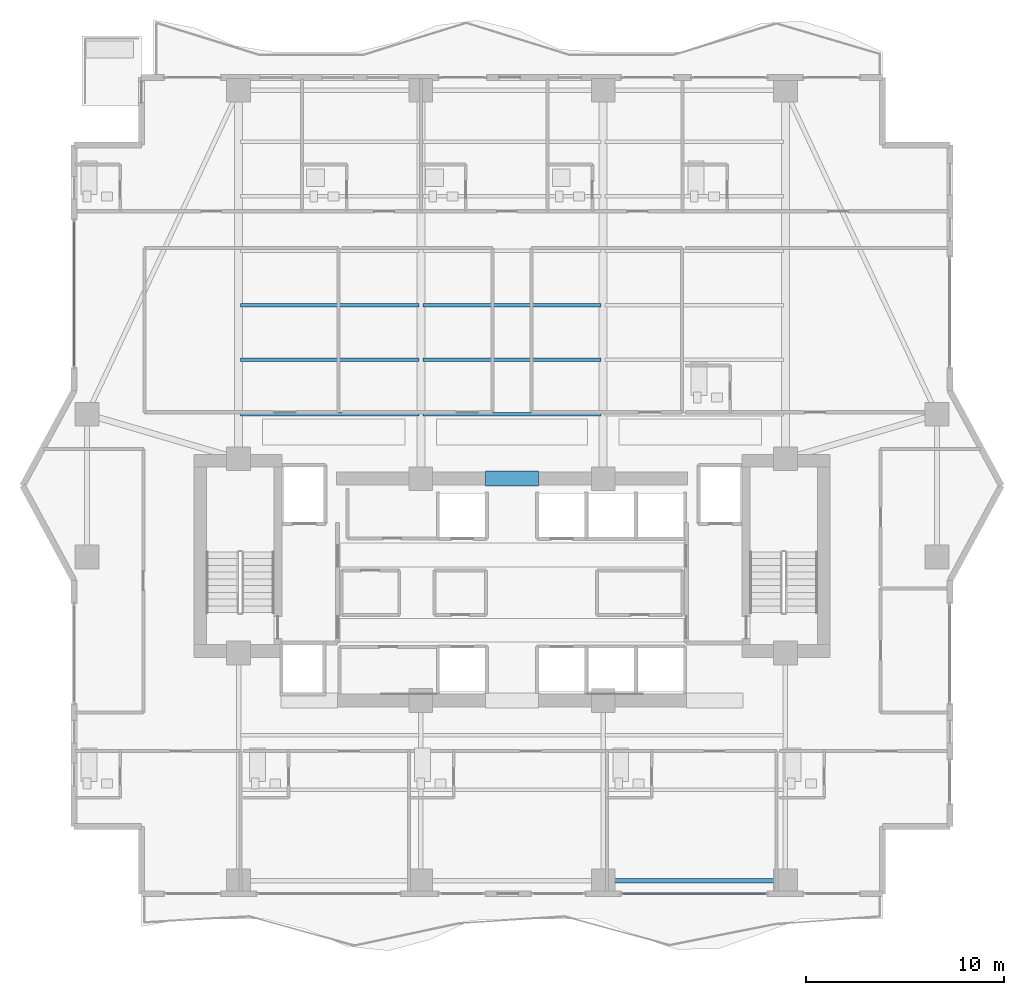
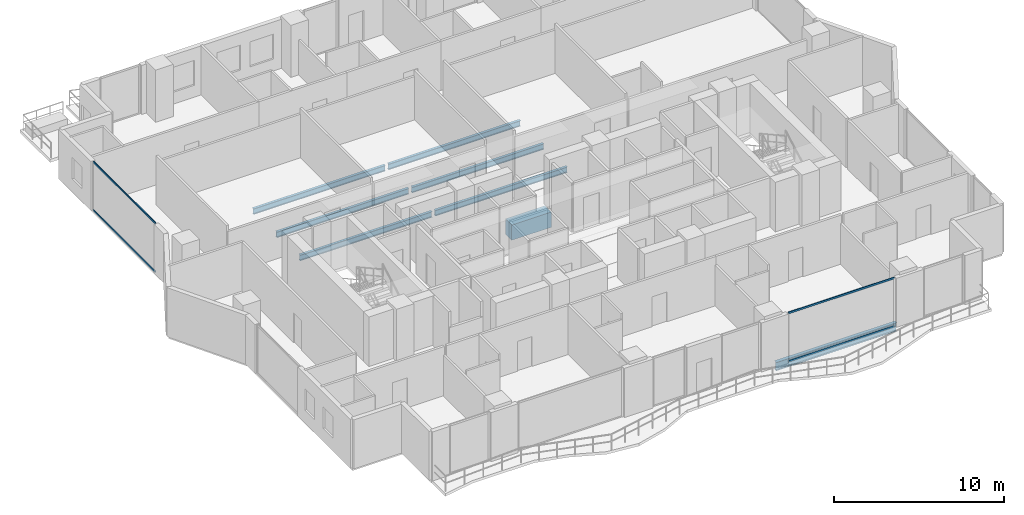
# One storey, part 8 of 32: 8 beams, 4 members, 2 elements without a shape of their own.
"""IFC4 building model written with IfcOpenShell, lengths in metres."""

from ifc_helpers import new_model, si_unit, direction, frame, origin, origin_2d, place, context, subcontext, project, spatial, rectangle, hollow_rectangle, i_section, extrude, material, layer, layer_set, material_profile, profile_set, type_object, element, aggregate, save


model = new_model("IFC4")

# Units and contexts
model_context = context("Model", 3, precision=1e-05, world=origin(), true_north=direction((0.0, 1.0)))
body_context = subcontext(model_context, "Body", "Model", "MODEL_VIEW")
ifc_project = project(units=[si_unit("LENGTHUNIT", "METRE"), si_unit("AREAUNIT", "SQUARE_METRE"), si_unit("VOLUMEUNIT", "CUBIC_METRE"), si_unit("PLANEANGLEUNIT", "RADIAN"), si_unit("MASSUNIT", "GRAM", prefix="KILO")], contexts=[model_context])

# Site, building, storey
site_placement = place(None, origin())
site = spatial("IfcSite", under=ifc_project, at=site_placement, CompositionType="ELEMENT")
building_placement = place(site_placement, origin())
building = spatial("IfcBuilding", under=site, at=building_placement, Name="Zuhayl Quay Hotel", CompositionType="ELEMENT")
storey_placement = place(building_placement, frame((0.0, 0.0, 181.14990234375)))
storey = spatial("IfcBuildingStorey", under=building, at=storey_placement, Name="L45", CompositionType="ELEMENT", Elevation=181.14990234375)

# Beams
ifc_material_1 = material(Name="Steel ASTM A992 Grade 50", Category="steel")
ifc_material_profile_1 = material_profile(ifc_material_1, i_section(OverallWidth=0.22802734375, OverallDepth=0.60693359375, WebThickness=0.01123046875, FlangeThickness=0.017333984375, at=origin_2d()), Name="W24X76")
ifc_profile_set_1 = profile_set([ifc_material_profile_1], Name="Steel ASTM A992 Grade 50")
beam_type_1 = type_object("IfcBeamType", Name="BM_B3_W24X76", PredefinedType="BEAM", material=ifc_profile_set_1)
beam_1_placement = place(storey_placement, frame((5.10009765625, -6.949951171875, -0.5234375), z_axis=(1.0, 0.0, 0.0), x_axis=(0.0, 1.0, 0.0)))
element("IfcBeam", 1, at=beam_1_placement, inside=storey, type_object=beam_type_1, Name="L45 Floor Beam RG_L45_03", PredefinedType="BEAM", context=body_context, shape_type="SweptSolid", body=[
    extrude(i_section(OverallWidth=0.22802734375, OverallDepth=0.60693359375, WebThickness=0.01123046875, FlangeThickness=0.017333984375, at=origin_2d()), origin(), (0.0, 0.0, 1.0), 8.199951171875),
])
ifc_material_2 = material(Name="Concrete C60/75", Category="concrete")
ifc_material_profile_2 = material_profile(ifc_material_2, rectangle(XDim=0.75, YDim=1.10009765625, at=origin_2d()), Name="RC750X1100")
ifc_profile_set_2 = profile_set([ifc_material_profile_2], Name="Concrete C60/75")
beam_type_2 = type_object("IfcBeamType", Name="BM_CB2_RC750", PredefinedType="T_BEAM", material=ifc_profile_set_2)
beam_2_placement = place(storey_placement, frame((-1.35009765625, 13.35009765625, -0.77001953125), z_axis=(1.0, 0.0, 0.0), x_axis=(0.0, 1.0, 0.0)))
element("IfcBeam", 2, at=beam_2_placement, inside=storey, type_object=beam_type_2, Name="L45 Core Coupling Beam North", PredefinedType="T_BEAM", context=body_context, shape_type="SweptSolid", body=[
    extrude(rectangle(XDim=0.75, YDim=1.10009765625, at=origin_2d()), origin(), (0.0, 0.0, 1.0), 2.7001953125),
])
ifc_material_profile_3 = material_profile(ifc_material_1, i_section(OverallWidth=0.177978515625, OverallDepth=0.406005859375, WebThickness=0.0078125, FlangeThickness=0.0126953125, at=origin_2d()), Name="W16X40")
ifc_profile_set_3 = profile_set([ifc_material_profile_3], Name="Steel ASTM A992 Grade 50")
beam_type_3 = type_object("IfcBeamType", Name="BM_J2B_W16X40", PredefinedType="JOIST", material=ifc_profile_set_3)
beam_3_placement = place(storey_placement, frame((-13.694091796875, 16.60009765625, -0.4228515625), z_axis=(1.0, 0.0, 0.0), x_axis=(0.0, 1.0, 0.0)))
element("IfcBeam", 3, at=beam_3_placement, inside=storey, type_object=beam_type_3, Name="L45 Floor Beam FJ_L45_1_1", PredefinedType="JOIST", context=body_context, shape_type="SweptSolid", body=[
    extrude(i_section(OverallWidth=0.177978515625, OverallDepth=0.406005859375, WebThickness=0.0078125, FlangeThickness=0.0126953125, at=origin_2d()), origin(), (0.0, 0.0, 1.0), 8.988037109375),
])
beam_4_placement = place(storey_placement, frame((-4.493896484375, 16.60009765625, -0.4228515625), z_axis=(1.0, 0.0, 0.0), x_axis=(0.0, 1.0, 0.0)))
element("IfcBeam", 4, at=beam_4_placement, inside=storey, type_object=beam_type_3, Name="L45 Floor Beam FJ_L45_1_2", PredefinedType="JOIST", context=body_context, shape_type="SweptSolid", body=[
    extrude(i_section(OverallWidth=0.177978515625, OverallDepth=0.406005859375, WebThickness=0.0078125, FlangeThickness=0.0126953125, at=origin_2d()), origin(), (0.0, 0.0, 1.0), 8.98779296875),
])
beam_5_placement = place(storey_placement, frame((-13.694091796875, 19.35009765625, -0.4228515625), z_axis=(1.0, 0.0, 0.0), x_axis=(0.0, 1.0, 0.0)))
element("IfcBeam", 5, at=beam_5_placement, inside=storey, type_object=beam_type_3, Name="L45 Floor Beam FJ_L45_2_1", PredefinedType="JOIST", context=body_context, shape_type="SweptSolid", body=[
    extrude(i_section(OverallWidth=0.177978515625, OverallDepth=0.406005859375, WebThickness=0.0078125, FlangeThickness=0.0126953125, at=origin_2d()), origin(), (0.0, 0.0, 1.0), 8.988037109375),
])
beam_6_placement = place(storey_placement, frame((-4.493896484375, 19.35009765625, -0.4228515625), z_axis=(1.0, 0.0, 0.0), x_axis=(0.0, 1.0, 0.0)))
element("IfcBeam", 6, at=beam_6_placement, inside=storey, type_object=beam_type_3, Name="L45 Floor Beam FJ_L45_2_2", PredefinedType="JOIST", context=body_context, shape_type="SweptSolid", body=[
    extrude(i_section(OverallWidth=0.177978515625, OverallDepth=0.406005859375, WebThickness=0.0078125, FlangeThickness=0.0126953125, at=origin_2d()), origin(), (0.0, 0.0, 1.0), 8.98779296875),
])
beam_7_placement = place(storey_placement, frame((-13.694091796875, 22.10009765625, -0.4228515625), z_axis=(1.0, 0.0, 0.0), x_axis=(0.0, 1.0, 0.0)))
element("IfcBeam", 7, at=beam_7_placement, inside=storey, type_object=beam_type_3, Name="L45 Floor Beam FJ_L45_3_1", PredefinedType="JOIST", context=body_context, shape_type="SweptSolid", body=[
    extrude(i_section(OverallWidth=0.177978515625, OverallDepth=0.406005859375, WebThickness=0.0078125, FlangeThickness=0.0126953125, at=origin_2d()), origin(), (0.0, 0.0, 1.0), 8.988037109375),
])
beam_8_placement = place(storey_placement, frame((-4.493896484375, 22.10009765625, -0.4228515625), z_axis=(1.0, 0.0, 0.0), x_axis=(0.0, 1.0, 0.0)))
element("IfcBeam", 8, at=beam_8_placement, inside=storey, type_object=beam_type_3, Name="L45 Floor Beam FJ_L45_3_2", PredefinedType="JOIST", context=body_context, shape_type="SweptSolid", body=[
    extrude(i_section(OverallWidth=0.177978515625, OverallDepth=0.406005859375, WebThickness=0.0078125, FlangeThickness=0.0126953125, at=origin_2d()), origin(), (0.0, 0.0, 1.0), 8.98779296875),
])

# Curtain wall, members
ifc_material_3 = material(Name="Anodised Aluminium 6063-T6", Category="aluminium")
ifc_layer = layer(ifc_material_3, 0.175048828125, Name="Anodised Aluminium 6063-T6", Category="aluminium")
ifc_layer_set = layer_set([ifc_layer], Name="Anodised Aluminium 6063-T6")
curtain_wall_type = type_object("IfcCurtainWallType", Name="CW_SYS_Z3", PredefinedType="USERDEFINED", material=ifc_layer_set)
curtain_wall_1_placement = place(storey_placement, origin())
curtain_wall_1 = element("IfcCurtainWall", 9, at=curtain_wall_1_placement, inside=storey, type_object=curtain_wall_type, Name="L45 Curtain Wall ENV_L45_E05_CW1", ObjectType="UNITISED CURTAIN WALL", PredefinedType="USERDEFINED")
ifc_material_4 = material(Name="Black-anodised aluminium 6063-T6", Category="aluminium")
ifc_material_profile_4 = material_profile(ifc_material_4, hollow_rectangle(XDim=0.054931640625, YDim=0.1298828125, WallThickness=0.0029296875, at=origin_2d()), Name="ALU130X55")
ifc_profile_set_4 = profile_set([ifc_material_profile_4], Name="Black-anodised aluminium 6063-T6")
member_type = type_object("IfcMemberType", Name="MB_CW_TRN_130", PredefinedType="USERDEFINED", material=ifc_profile_set_4)
member_1_placement = place(storey_placement, frame((-22.10009765625, 19.014892578125, 0.027587890625), z_axis=(0.0, 1.0, 0.0), x_axis=(-1.0, 0.0, 0.0)))
member_1 = element("IfcMember", 10, at=member_1_placement, type_object=member_type, Name="CW-Z3 transom 1.1", ObjectType="TRANSOM", PredefinedType="USERDEFINED", context=body_context, shape_type="SweptSolid", body=[
    extrude(hollow_rectangle(XDim=0.054931640625, YDim=0.1298828125, WallThickness=0.0029296875, at=origin_2d()), origin(), (0.0, 0.0, 1.0), 7.320068359375),
])
member_2_placement = place(storey_placement, frame((-22.10009765625, 19.014892578125, 3.502685546875), z_axis=(0.0, 1.0, 0.0), x_axis=(-1.0, 0.0, 0.0)))
member_2 = element("IfcMember", 11, at=member_2_placement, type_object=member_type, Name="CW-Z3 transom 1.2", ObjectType="TRANSOM", PredefinedType="USERDEFINED", context=body_context, shape_type="SweptSolid", body=[
    extrude(hollow_rectangle(XDim=0.054931640625, YDim=0.1298828125, WallThickness=0.0029296875, at=origin_2d()), origin(), (0.0, 0.0, 1.0), 7.320068359375),
])
aggregate(curtain_wall_1, [member_1, member_2])

curtain_wall_2_placement = place(storey_placement, origin())
curtain_wall_2 = element("IfcCurtainWall", 12, at=curtain_wall_2_placement, inside=storey, type_object=curtain_wall_type, Name="L45 Curtain Wall ENV_L45_S_CW2", ObjectType="UNITISED CURTAIN WALL", PredefinedType="USERDEFINED")
member_3_placement = place(storey_placement, frame((12.81494140625, -7.60009765625, 0.027587890625), z_axis=(-1.0, 0.0, 0.0), x_axis=(0.0, -1.0, 0.0)))
member_3 = element("IfcMember", 13, at=member_3_placement, type_object=member_type, Name="CW-Z3 transom 1.1", ObjectType="TRANSOM", PredefinedType="USERDEFINED", context=body_context, shape_type="SweptSolid", body=[
    extrude(hollow_rectangle(XDim=0.054931640625, YDim=0.1298828125, WallThickness=0.0029296875, at=origin_2d()), origin(), (0.0, 0.0, 1.0), 7.22998046875),
])
member_4_placement = place(storey_placement, frame((12.81494140625, -7.60009765625, 3.502685546875), z_axis=(-1.0, 0.0, 0.0), x_axis=(0.0, -1.0, 0.0)))
member_4 = element("IfcMember", 14, at=member_4_placement, type_object=member_type, Name="CW-Z3 transom 1.2", ObjectType="TRANSOM", PredefinedType="USERDEFINED", context=body_context, shape_type="SweptSolid", body=[
    extrude(hollow_rectangle(XDim=0.054931640625, YDim=0.1298828125, WallThickness=0.0029296875, at=origin_2d()), origin(), (0.0, 0.0, 1.0), 7.22998046875),
])
aggregate(curtain_wall_2, [member_3, member_4])

save(model, "model.ifc")
